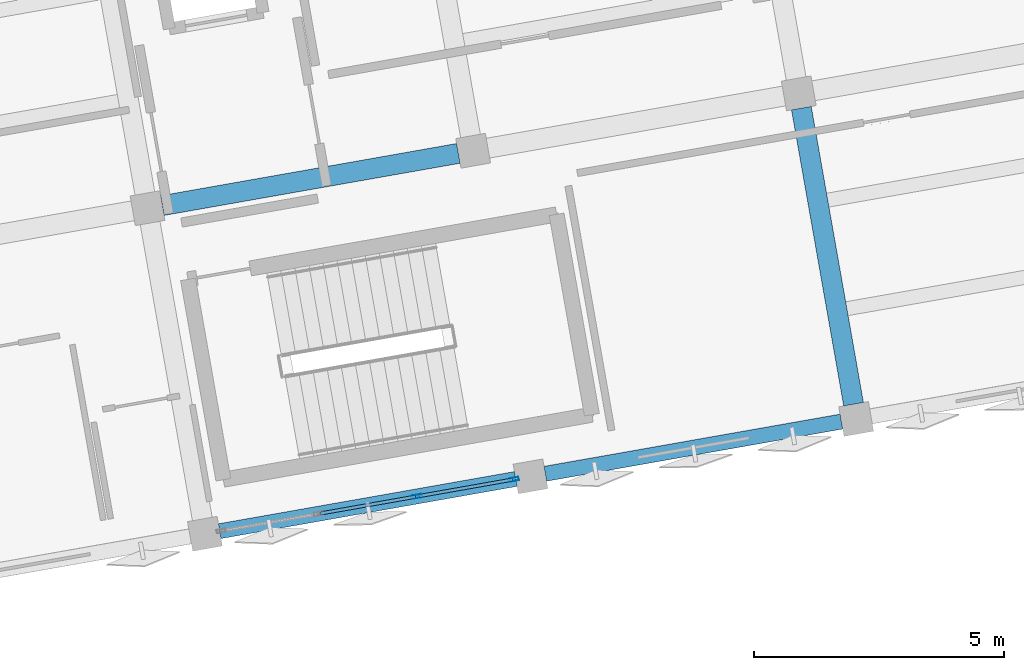
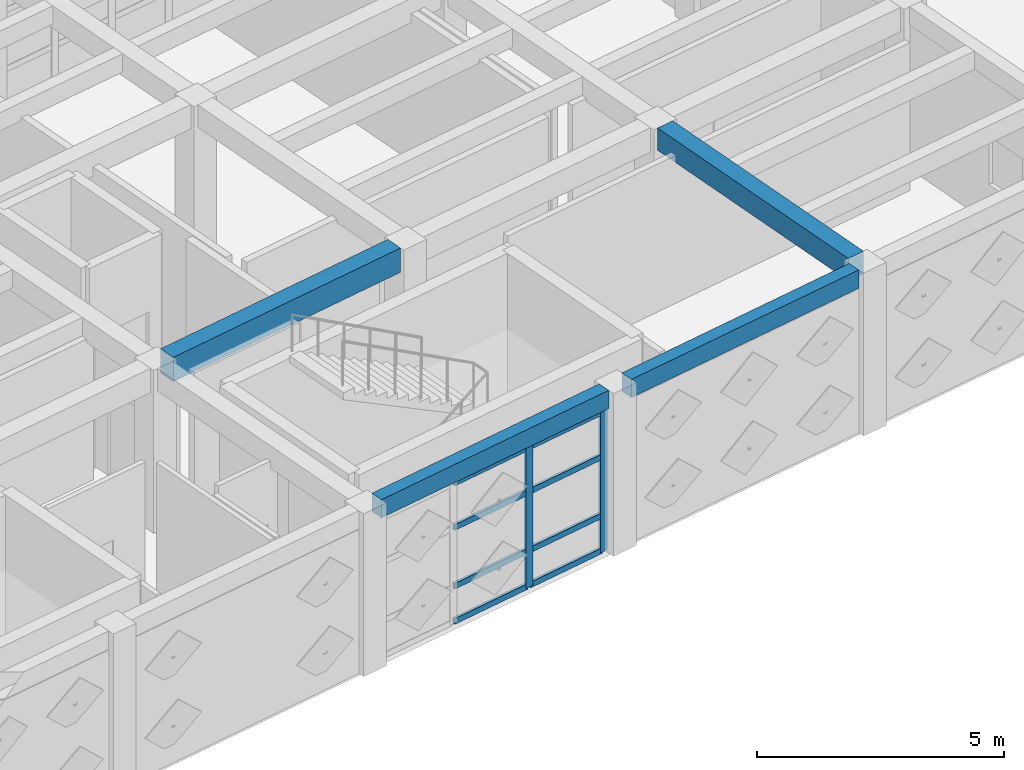
# One storey, part 4 of 18: 10 members, 4 beams, 1 element without a shape of its own.
"""IFC4 building model written with IfcOpenShell, lengths in metres."""

import ifcopenshell
import ifcopenshell.guid

model = None  # the IFC model being written
_history = None  # IfcOwnerHistory: only IFC2X3 demands one
_inside = {}  # id of a spatial element -> (the spatial element, [elements in it])
_under = {}  # id of a project, library or spatial element -> (it, [spatial elements below it])
_declared = {}  # id of a project -> (the project, [libraries it declares])
_typed = {}  # id of a type object -> (the type object, [elements of that type])
_made_of = {}  # id of a material, layer set ... -> (it, [elements and type objects made of it])


def new_model(schema):
    """Start an empty IFC model of exactly this schema.

    Asked for "IFC4X3", IfcOpenShell would pick the latest addendum, in which some entities
    have other attributes; the version numbers below select the first issue.
    IFC2X3 requires an IfcOwnerHistory on every rooted entity: one is made here for all.
    """
    global model, _history
    if schema == "IFC4X3":
        model = ifcopenshell.file(schema_version=(4, 3, 0, 0))
    else:
        model = ifcopenshell.file(schema=schema)
    _inside.clear()
    _under.clear()
    _declared.clear()
    _typed.clear()
    _made_of.clear()
    _history = None
    if model.schema == "IFC2X3":
        org = make("IfcOrganization", Name="unknown")
        user = make(
            "IfcPersonAndOrganization",
            ThePerson=make("IfcPerson", FamilyName="unknown"),
            TheOrganization=org,
        )
        app = make(
            "IfcApplication",
            ApplicationDeveloper=org,
            Version="unknown",
            ApplicationFullName="unknown",
            ApplicationIdentifier="unknown",
        )
        _history = make(
            "IfcOwnerHistory",
            OwningUser=user,
            OwningApplication=app,
            ChangeAction="ADDED",
            CreationDate=0,
        )
    return model


def make(cls, **values):
    """One entity of the class cls with the attributes given. An attribute that is None is left unset."""
    return model.create_entity(
        cls, **{name: value for name, value in values.items() if value is not None}
    )


def rooted(cls, **values):
    """An entity with a GlobalId (a new one), such as an element, a storey or a relation."""
    return make(cls, GlobalId=ifcopenshell.guid.new(), OwnerHistory=_history, **values)


def si_unit(unit_type, name, prefix=None):
    """IfcSIUnit, for example si_unit("LENGTHUNIT", "METRE", prefix="MILLI")."""
    return make("IfcSIUnit", UnitType=unit_type, Prefix=prefix, Name=name)


def assignment(units):
    """IfcUnitAssignment: the units of a project."""
    return None if units is None else make("IfcUnitAssignment", Units=units)


def point(xyz):
    """IfcCartesianPoint."""
    return None if xyz is None else make("IfcCartesianPoint", Coordinates=xyz)


def direction(xyz):
    """IfcDirection."""
    return None if xyz is None else make("IfcDirection", DirectionRatios=xyz)


def frame(location, z_axis=None, x_axis=None):
    """IfcAxis2Placement3D, a coordinate frame: its origin and axes. An axis left out is left unset."""
    return make(
        "IfcAxis2Placement3D",
        Location=point(location),
        Axis=direction(z_axis),
        RefDirection=direction(x_axis),
    )


def frame_2d(location, x_axis=None):
    """IfcAxis2Placement2D, a coordinate frame in the plane: its origin and x axis."""
    return make(
        "IfcAxis2Placement2D", Location=point(location), RefDirection=direction(x_axis)
    )


def origin():
    """The frame at (0, 0, 0) with its axes left unset."""
    return frame((0.0, 0.0, 0.0))


def origin_2d():
    """The frame at (0, 0) in the plane with its x axis left unset."""
    return frame_2d((0.0, 0.0))


def place(relative_to, where):
    """IfcLocalPlacement: puts the frame where relative to a parent placement (None: the world)."""
    return make(
        "IfcLocalPlacement", PlacementRelTo=relative_to, RelativePlacement=where
    )


def context(
    kind, dimensions, precision=None, world=None, true_north=None, identifier=None
):
    """IfcGeometricRepresentationContext, for example the 3D "Model" context."""
    return make(
        "IfcGeometricRepresentationContext",
        ContextIdentifier=identifier,
        ContextType=kind,
        CoordinateSpaceDimension=dimensions,
        Precision=precision,
        WorldCoordinateSystem=world,
        TrueNorth=true_north,
    )


def subcontext(parent, identifier, kind, view, scale=None):
    """IfcGeometricRepresentationSubContext, for example "Body" below "Model"."""
    return make(
        "IfcGeometricRepresentationSubContext",
        ContextIdentifier=identifier,
        ContextType=kind,
        ParentContext=parent,
        TargetScale=scale,
        TargetView=view,
    )


def project(units=None, contexts=None):
    """IfcProject with its units and contexts."""
    return rooted(
        "IfcProject",
        Name="project",
        RepresentationContexts=contexts,
        UnitsInContext=assignment(units),
    )


def spatial(cls, under=None, at=None, **own):
    """A site, building, storey or space (cls), placed at a placement, below another one or the project."""
    s = rooted(cls, ObjectPlacement=at, **own)
    if under is not None:
        _under.setdefault(under.id(), (under, []))[1].append(s)
    return s


def profile(cls, at=None, kind="AREA", **sizes):
    """A parametric profile (cls). Its sizes go by their IFC names, for example OverallWidth=200.0."""
    return make(cls, ProfileType=kind, Position=at, **sizes)


def rectangle(**sizes):
    """IfcRectangleProfileDef."""
    return profile("IfcRectangleProfileDef", **sizes)


def hollow_rectangle(**sizes):
    """IfcRectangleHollowProfileDef."""
    return profile("IfcRectangleHollowProfileDef", **sizes)


def extrude(swept, where, along, depth):
    """IfcExtrudedAreaSolid: the profile swept, set in the frame where, extruded along a direction by depth."""
    return make(
        "IfcExtrudedAreaSolid",
        SweptArea=swept,
        Position=where,
        ExtrudedDirection=direction(along),
        Depth=depth,
    )


def shape(context_of_items, identifier, shape_type, items):
    """IfcShapeRepresentation: the items that make up one representation, for example the "Body"."""
    return make(
        "IfcShapeRepresentation",
        ContextOfItems=context_of_items,
        RepresentationIdentifier=identifier,
        RepresentationType=shape_type,
        Items=items,
    )


def material(Name=None, Category=None):
    """IfcMaterial."""
    return make("IfcMaterial", Name=Name, Category=Category)


def layer(
    of_material, thickness, ventilated=None, Name=None, Category=None, Priority=None
):
    """IfcMaterialLayer: one layer of a wall or slab, of a material (None: an air gap)."""
    return make(
        "IfcMaterialLayer",
        Material=of_material,
        LayerThickness=thickness,
        IsVentilated=ventilated,
        Name=Name,
        Category=Category,
        Priority=Priority,
    )


def layer_set(layers, Name=None):
    """IfcMaterialLayerSet."""
    return make("IfcMaterialLayerSet", MaterialLayers=layers, LayerSetName=Name)


def material_profile(
    of_material, cross_section, Name=None, Category=None, Priority=None
):
    """IfcMaterialProfile: a cross section and its material."""
    return make(
        "IfcMaterialProfile",
        Name=Name,
        Material=of_material,
        Profile=cross_section,
        Priority=Priority,
        Category=Category,
    )


def profile_set(profiles, Name=None, composite=None):
    """IfcMaterialProfileSet."""
    return make(
        "IfcMaterialProfileSet",
        Name=Name,
        MaterialProfiles=profiles,
        CompositeProfile=composite,
    )


def made_of(thing, what):
    """Note that an element or type object is made of a material, layer set ...; save() writes the relation."""
    if what is not None:
        _made_of.setdefault(what.id(), (what, []))[1].append(thing)
    return thing


def type_object(cls, material=None, **own):
    """A type object (cls), such as IfcWallType, which elements share."""
    return made_of(rooted(cls, **own), material)


def element(
    cls,
    number,
    at=None,
    inside=None,
    cuts=None,
    type_object=None,
    material=None,
    context=None,
    identifier="Body",
    shape_type=None,
    held_by="IfcProductDefinitionShape",
    body=None,
    shapes=None,
    **own,
):
    """One element of the class cls, such as IfcWall. Its Tag is "e" and its number.

    at: its placement. inside: the storey or other place that contains it. cuts: it is an
    opening in that element (IfcRelVoidsElement). A single representation is given by context,
    identifier, shape_type and body (its items); several are given by shapes. held_by: the class
    of the entity that holds the representations. save() writes the other relations.
    """
    e = rooted(cls, Tag="e%d" % number, ObjectPlacement=at, **own)
    if body is not None:
        shapes = [shape(context, identifier, shape_type, body)]
    if shapes is not None:
        e.Representation = make(held_by, Representations=shapes)
    if inside is not None:
        _inside.setdefault(inside.id(), (inside, []))[1].append(e)
    if cuts is not None:
        rooted(
            "IfcRelVoidsElement", RelatingBuildingElement=cuts, RelatedOpeningElement=e
        )
    if type_object is not None:
        _typed.setdefault(type_object.id(), (type_object, []))[1].append(e)
    return made_of(e, material)


def aggregate(whole, parts):
    """IfcRelAggregates: a whole, such as a stair, and the parts it consists of."""
    return rooted("IfcRelAggregates", RelatingObject=whole, RelatedObjects=parts)


def save(model, path):
    """Write the relations noted so far, then the file.

    IfcRelAggregates (storeys below a building ...), IfcRelContainedInSpatialStructure (elements
    in a storey), IfcRelDefinesByType, IfcRelAssociatesMaterial and IfcRelDeclares: one each for
    every whole, place, type object, material and project.
    """
    for whole, parts in _under.values():
        aggregate(whole, parts)
    for where, things in _inside.values():
        rooted(
            "IfcRelContainedInSpatialStructure",
            RelatedElements=things,
            RelatingStructure=where,
        )
    for kind, things in _typed.values():
        rooted("IfcRelDefinesByType", RelatedObjects=things, RelatingType=kind)
    for what, things in _made_of.values():
        rooted("IfcRelAssociatesMaterial", RelatedObjects=things, RelatingMaterial=what)
    for by, libraries in _declared.values():
        rooted("IfcRelDeclares", RelatingContext=by, RelatedDefinitions=libraries)
    model.write(path)


model = new_model("IFC4")

# Units and contexts
model_context = context("Model", 3, precision=1e-05, world=origin(), true_north=direction((0.0, 1.0)))
body_context = subcontext(model_context, "Body", "Model", "MODEL_VIEW")
ifc_project = project(units=[si_unit("LENGTHUNIT", "METRE"), si_unit("AREAUNIT", "SQUARE_METRE"), si_unit("VOLUMEUNIT", "CUBIC_METRE"), si_unit("PLANEANGLEUNIT", "RADIAN"), si_unit("MASSUNIT", "GRAM", prefix="KILO")], contexts=[model_context])

# Site, building, storey
site_placement = place(None, origin())
site = spatial("IfcSite", under=ifc_project, at=site_placement, CompositionType="ELEMENT")
building_placement = place(site_placement, origin())
building = spatial("IfcBuilding", under=site, at=building_placement, Name="Kharisveld Research Institute", CompositionType="ELEMENT")
storey_placement = place(building_placement, frame((0.0, 0.0, 36.60009765625)))
storey = spatial("IfcBuildingStorey", under=building, at=storey_placement, Name="L08", CompositionType="ELEMENT", Elevation=36.60009765625)

# Beams
ifc_material_1 = material(Name="Concrete C40/50", Category="concrete")
ifc_material_profile_1 = material_profile(ifc_material_1, rectangle(XDim=0.39990234375, YDim=0.550048828125, at=origin_2d()))
ifc_profile_set_1 = profile_set([ifc_material_profile_1], Name="Concrete C40/50")
beam_type_1 = type_object("IfcBeamType", Name="BM_RC_400x550", PredefinedType="BEAM", material=ifc_profile_set_1)
beam_1_placement = place(storey_placement, frame((31.146728515625, 39.8896484375, 3.744873046875), z_axis=(-0.173622845926, 0.984812219346, 0.0), x_axis=(-0.984812219346, -0.173622845926, 0.0)))
element("IfcBeam", 1, at=beam_1_placement, inside=storey, type_object=beam_type_1, Name="BM:V1:L08:V4_0", PredefinedType="BEAM", context=body_context, shape_type="SweptSolid", body=[
    extrude(rectangle(XDim=0.39990234375, YDim=0.550048828125, at=origin_2d()), origin(), (0.0, 0.0, 1.0), 6.0),
])
ifc_material_2 = material(Name="Concrete C40/50", Category="concrete")
ifc_material_profile_2 = material_profile(ifc_material_2, rectangle(XDim=0.39990234375, YDim=0.60009765625, at=origin_2d()))
ifc_profile_set_2 = profile_set([ifc_material_profile_2], Name="Concrete C40/50")
beam_type_2 = type_object("IfcBeamType", Name="BM_RC_400x600", PredefinedType="BEAM", material=ifc_profile_set_2)
beam_2_placement = place(storey_placement, frame((17.348876953125, 43.85400390625, 3.719970703125), z_axis=(0.984810992686, 0.173629803561, 0.0), x_axis=(-0.173629803561, 0.984810992686, 0.0)))
element("IfcBeam", 2, at=beam_2_placement, inside=storey, type_object=beam_type_2, Name="BM:V1:L08:U2_1", PredefinedType="BEAM", context=body_context, shape_type="SweptSolid", body=[
    extrude(rectangle(XDim=0.39990234375, YDim=0.60009765625, at=origin_2d()), origin(), (0.0, 0.0, 1.0), 5.999755859375),
])

# Curtain wall, members
ifc_material_3 = material(Name="Thermally Broken Aluminium Curtain Wall", Category="aluminium")
ifc_layer = layer(ifc_material_3, 0.159912109375)
ifc_layer_set = layer_set([ifc_layer], Name="CW_SYS_05")
curtain_wall_type = type_object("IfcCurtainWallType", Name="CW_SYS_05", PredefinedType="NOTDEFINED", material=ifc_layer_set)
curtain_wall_placement = place(storey_placement, origin())
curtain_wall = element("IfcCurtainWall", 3, at=curtain_wall_placement, inside=storey, type_object=curtain_wall_type, Name="CW:V1:L08:S3", PredefinedType="NOTDEFINED")
ifc_material_4 = material(Name="Anodised Aluminium AW-6063-T6", Category="aluminium")
ifc_material_profile_3 = material_profile(ifc_material_4, hollow_rectangle(XDim=0.070068359375, YDim=0.179931640625, WallThickness=0.00439453125, at=origin_2d()))
ifc_profile_set_3 = profile_set([ifc_material_profile_3], Name="Anodised Aluminium AW-6063-T6")
member_type_1 = type_object("IfcMemberType", Name="CW_MUL_180", PredefinedType="MULLION", material=ifc_profile_set_3)
member_1_placement = place(storey_placement, frame((24.374267578125, 38.390869140625, 0.0), z_axis=(0.0, 0.0, 1.0), x_axis=(0.173648210685, -0.98480774719, 0.0)))
member_1 = element("IfcMember", 4, at=member_1_placement, type_object=member_type_1, Name="CW-05 mullion 1", PredefinedType="MULLION", context=body_context, shape_type="SweptSolid", body=[
    extrude(hollow_rectangle(XDim=0.070068359375, YDim=0.179931640625, WallThickness=0.00439453125, at=origin_2d()), origin(), (0.0, 0.0, 1.0), 3.47998046875),
])
member_2_placement = place(storey_placement, frame((22.435791015625, 38.049072265625, 0.0), z_axis=(0.0, 0.0, 1.0), x_axis=(0.173648210685, -0.98480774719, 0.0)))
member_2 = element("IfcMember", 5, at=member_2_placement, type_object=member_type_1, Name="CW-05 mullion 2", PredefinedType="MULLION", context=body_context, shape_type="SweptSolid", body=[
    extrude(hollow_rectangle(XDim=0.070068359375, YDim=0.179931640625, WallThickness=0.00439453125, at=origin_2d()), origin(), (0.0, 0.0, 1.0), 3.47998046875),
])
ifc_material_5 = material(Name="Anodised Aluminium AW-6063-T6", Category="aluminium")
ifc_material_profile_4 = material_profile(ifc_material_5, hollow_rectangle(XDim=0.06494140625, YDim=0.139892578125, WallThickness=0.00390625, at=origin_2d()))
ifc_profile_set_4 = profile_set([ifc_material_profile_4], Name="Anodised Aluminium AW-6063-T6")
member_type_2 = type_object("IfcMemberType", Name="CW_TRN_140", PredefinedType="USERDEFINED", material=ifc_profile_set_4)
member_3_placement = place(storey_placement, frame((24.33984375, 38.384765625, 0.032470703125), z_axis=(-0.984814614087, -0.173609262081, 0.0), x_axis=(0.173609262081, -0.984814614087, 0.0)))
member_3 = element("IfcMember", 6, at=member_3_placement, type_object=member_type_2, Name="CW-05 transom 1.1", ObjectType="TRANSOM", PredefinedType="USERDEFINED", context=body_context, shape_type="SweptSolid", body=[
    extrude(hollow_rectangle(XDim=0.06494140625, YDim=0.139892578125, WallThickness=0.00390625, at=origin_2d()), origin(), (0.0, 0.0, 1.0), 1.8984375),
])
member_4_placement = place(storey_placement, frame((24.33984375, 38.384765625, 0.89990234375), z_axis=(-0.984814614087, -0.173609262081, 0.0), x_axis=(0.173609262081, -0.984814614087, 0.0)))
member_4 = element("IfcMember", 7, at=member_4_placement, type_object=member_type_2, Name="CW-05 transom 1.2", ObjectType="TRANSOM", PredefinedType="USERDEFINED", context=body_context, shape_type="SweptSolid", body=[
    extrude(hollow_rectangle(XDim=0.06494140625, YDim=0.139892578125, WallThickness=0.00390625, at=origin_2d()), origin(), (0.0, 0.0, 1.0), 1.8984375),
])
member_5_placement = place(storey_placement, frame((24.33984375, 38.384765625, 2.349853515625), z_axis=(-0.984814614087, -0.173609262081, 0.0), x_axis=(0.173609262081, -0.984814614087, 0.0)))
member_5 = element("IfcMember", 8, at=member_5_placement, type_object=member_type_2, Name="CW-05 transom 1.3", ObjectType="TRANSOM", PredefinedType="USERDEFINED", context=body_context, shape_type="SweptSolid", body=[
    extrude(hollow_rectangle(XDim=0.06494140625, YDim=0.139892578125, WallThickness=0.00390625, at=origin_2d()), origin(), (0.0, 0.0, 1.0), 1.8984375),
])
member_6_placement = place(storey_placement, frame((24.33984375, 38.384765625, 3.447509765625), z_axis=(-0.984814614087, -0.173609262081, 0.0), x_axis=(0.173609262081, -0.984814614087, 0.0)))
member_6 = element("IfcMember", 9, at=member_6_placement, type_object=member_type_2, Name="CW-05 transom 1.4", ObjectType="TRANSOM", PredefinedType="USERDEFINED", context=body_context, shape_type="SweptSolid", body=[
    extrude(hollow_rectangle(XDim=0.06494140625, YDim=0.139892578125, WallThickness=0.00390625, at=origin_2d()), origin(), (0.0, 0.0, 1.0), 1.8984375),
])
member_7_placement = place(storey_placement, frame((22.4013671875, 38.04296875, 0.032470703125), z_axis=(-0.984811512808, -0.173626853457, 0.0), x_axis=(0.173626853457, -0.984811512808, 0.0)))
member_7 = element("IfcMember", 10, at=member_7_placement, type_object=member_type_2, Name="CW-05 transom 2.1", ObjectType="TRANSOM", PredefinedType="USERDEFINED", context=body_context, shape_type="SweptSolid", body=[
    extrude(hollow_rectangle(XDim=0.06494140625, YDim=0.139892578125, WallThickness=0.00390625, at=origin_2d()), origin(), (0.0, 0.0, 1.0), 1.933349609375),
])
member_8_placement = place(storey_placement, frame((22.4013671875, 38.04296875, 0.89990234375), z_axis=(-0.984811512808, -0.173626853457, 0.0), x_axis=(0.173626853457, -0.984811512808, 0.0)))
member_8 = element("IfcMember", 11, at=member_8_placement, type_object=member_type_2, Name="CW-05 transom 2.2", ObjectType="TRANSOM", PredefinedType="USERDEFINED", context=body_context, shape_type="SweptSolid", body=[
    extrude(hollow_rectangle(XDim=0.06494140625, YDim=0.139892578125, WallThickness=0.00390625, at=origin_2d()), origin(), (0.0, 0.0, 1.0), 1.933349609375),
])
member_9_placement = place(storey_placement, frame((22.4013671875, 38.04296875, 2.349853515625), z_axis=(-0.984811512808, -0.173626853457, 0.0), x_axis=(0.173626853457, -0.984811512808, 0.0)))
member_9 = element("IfcMember", 12, at=member_9_placement, type_object=member_type_2, Name="CW-05 transom 2.3", ObjectType="TRANSOM", PredefinedType="USERDEFINED", context=body_context, shape_type="SweptSolid", body=[
    extrude(hollow_rectangle(XDim=0.06494140625, YDim=0.139892578125, WallThickness=0.00390625, at=origin_2d()), origin(), (0.0, 0.0, 1.0), 1.933349609375),
])
member_10_placement = place(storey_placement, frame((22.4013671875, 38.04296875, 3.447509765625), z_axis=(-0.984811512808, -0.173626853457, 0.0), x_axis=(0.173626853457, -0.984811512808, 0.0)))
member_10 = element("IfcMember", 13, at=member_10_placement, type_object=member_type_2, Name="CW-05 transom 2.4", ObjectType="TRANSOM", PredefinedType="USERDEFINED", context=body_context, shape_type="SweptSolid", body=[
    extrude(hollow_rectangle(XDim=0.06494140625, YDim=0.139892578125, WallThickness=0.00390625, at=origin_2d()), origin(), (0.0, 0.0, 1.0), 1.933349609375),
])
aggregate(curtain_wall, [member_1, member_2, member_3, member_4, member_5, member_6, member_7, member_8, member_9, member_10])

# Beams
ifc_material_6 = material(Name="Concrete C40/50", Category="concrete")
ifc_material_profile_5 = material_profile(ifc_material_6, rectangle(XDim=0.300048828125, YDim=0.449951171875, at=origin_2d()))
ifc_profile_set_5 = profile_set([ifc_material_profile_5], Name="Concrete C40/50")
beam_type_3 = type_object("IfcBeamType", Name="SP_RC_300x450", PredefinedType="SPANDREL", material=ifc_profile_set_5)
for number, where, z_axis, x_axis, name in (
    (14, (18.494873046875, 37.354248046875, 3.794921875), (0.984805261243, 0.173662308598, 0.0), (-0.173662308598, 0.984805261243, 0.0), "BM:V1:L08:U2_0"),
    (15, (24.99462890625, 38.500244140625, 3.794921875), (0.984805261243, 0.173662308598, 0.0), (-0.173662308598, 0.984805261243, 0.0), "BM:V1:L08:U3_0"),
):
    element("IfcBeam", number, at=place(storey_placement, frame(where, z_axis=z_axis, x_axis=x_axis)), inside=storey, type_object=beam_type_3, Name=name, PredefinedType="SPANDREL", context=body_context, shape_type="SweptSolid", body=[
        extrude(rectangle(XDim=0.300048828125, YDim=0.449951171875, at=origin_2d()), origin(), (0.0, 0.0, 1.0), 6.0),
    ])

save(model, "model.ifc")
